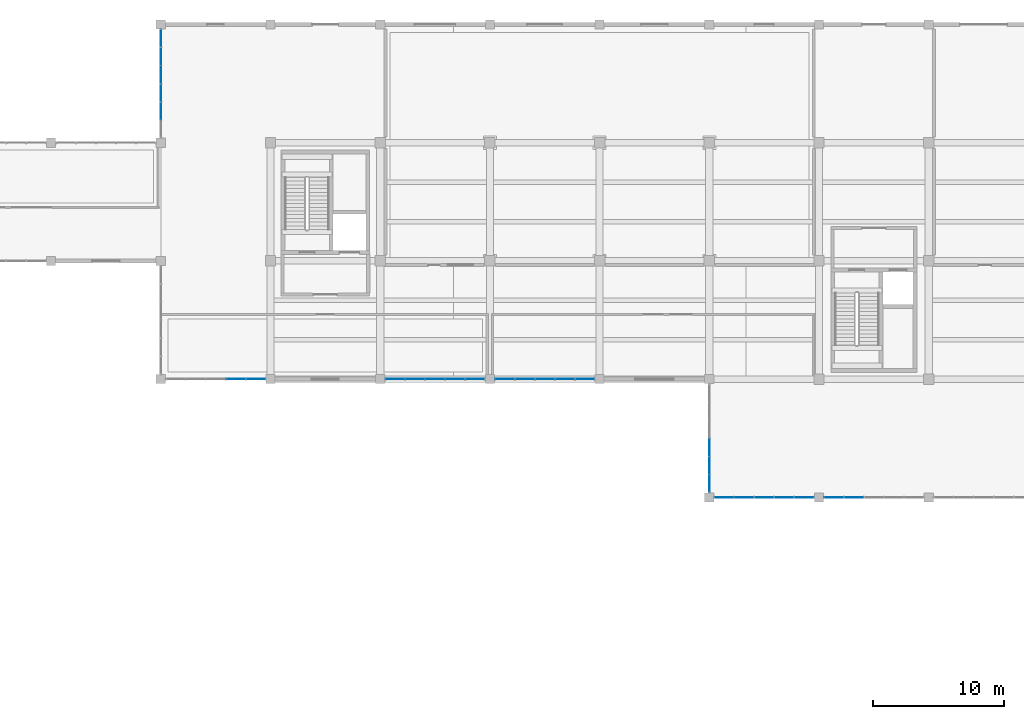
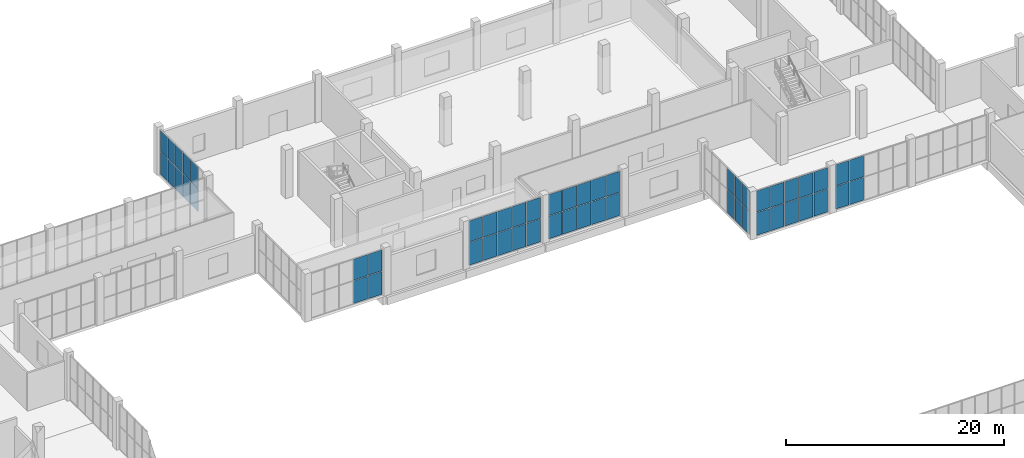
# One storey, part 69 of 91: 54 plates, 7 elements without a shape of their own.
"""IFC4 building model written with IfcOpenShell, lengths in metres."""

import ifcopenshell
import ifcopenshell.guid

model = None  # the IFC model being written
_history = None  # IfcOwnerHistory: only IFC2X3 demands one
_inside = {}  # id of a spatial element -> (the spatial element, [elements in it])
_under = {}  # id of a project, library or spatial element -> (it, [spatial elements below it])
_declared = {}  # id of a project -> (the project, [libraries it declares])
_typed = {}  # id of a type object -> (the type object, [elements of that type])
_made_of = {}  # id of a material, layer set ... -> (it, [elements and type objects made of it])


def new_model(schema):
    """Start an empty IFC model of exactly this schema.

    Asked for "IFC4X3", IfcOpenShell would pick the latest addendum, in which some entities
    have other attributes; the version numbers below select the first issue.
    IFC2X3 requires an IfcOwnerHistory on every rooted entity: one is made here for all.
    """
    global model, _history
    if schema == "IFC4X3":
        model = ifcopenshell.file(schema_version=(4, 3, 0, 0))
    else:
        model = ifcopenshell.file(schema=schema)
    _inside.clear()
    _under.clear()
    _declared.clear()
    _typed.clear()
    _made_of.clear()
    _history = None
    if model.schema == "IFC2X3":
        org = make("IfcOrganization", Name="unknown")
        user = make(
            "IfcPersonAndOrganization",
            ThePerson=make("IfcPerson", FamilyName="unknown"),
            TheOrganization=org,
        )
        app = make(
            "IfcApplication",
            ApplicationDeveloper=org,
            Version="unknown",
            ApplicationFullName="unknown",
            ApplicationIdentifier="unknown",
        )
        _history = make(
            "IfcOwnerHistory",
            OwningUser=user,
            OwningApplication=app,
            ChangeAction="ADDED",
            CreationDate=0,
        )
    return model


def make(cls, **values):
    """One entity of the class cls with the attributes given. An attribute that is None is left unset."""
    return model.create_entity(
        cls, **{name: value for name, value in values.items() if value is not None}
    )


def rooted(cls, **values):
    """An entity with a GlobalId (a new one), such as an element, a storey or a relation."""
    return make(cls, GlobalId=ifcopenshell.guid.new(), OwnerHistory=_history, **values)


def si_unit(unit_type, name, prefix=None):
    """IfcSIUnit, for example si_unit("LENGTHUNIT", "METRE", prefix="MILLI")."""
    return make("IfcSIUnit", UnitType=unit_type, Prefix=prefix, Name=name)


def assignment(units):
    """IfcUnitAssignment: the units of a project."""
    return None if units is None else make("IfcUnitAssignment", Units=units)


def point(xyz):
    """IfcCartesianPoint."""
    return None if xyz is None else make("IfcCartesianPoint", Coordinates=xyz)


def direction(xyz):
    """IfcDirection."""
    return None if xyz is None else make("IfcDirection", DirectionRatios=xyz)


def frame(location, z_axis=None, x_axis=None):
    """IfcAxis2Placement3D, a coordinate frame: its origin and axes. An axis left out is left unset."""
    return make(
        "IfcAxis2Placement3D",
        Location=point(location),
        Axis=direction(z_axis),
        RefDirection=direction(x_axis),
    )


def frame_2d(location, x_axis=None):
    """IfcAxis2Placement2D, a coordinate frame in the plane: its origin and x axis."""
    return make(
        "IfcAxis2Placement2D", Location=point(location), RefDirection=direction(x_axis)
    )


def origin():
    """The frame at (0, 0, 0) with its axes left unset."""
    return frame((0.0, 0.0, 0.0))


def origin_2d():
    """The frame at (0, 0) in the plane with its x axis left unset."""
    return frame_2d((0.0, 0.0))


def place(relative_to, where):
    """IfcLocalPlacement: puts the frame where relative to a parent placement (None: the world)."""
    return make(
        "IfcLocalPlacement", PlacementRelTo=relative_to, RelativePlacement=where
    )


def context(
    kind, dimensions, precision=None, world=None, true_north=None, identifier=None
):
    """IfcGeometricRepresentationContext, for example the 3D "Model" context."""
    return make(
        "IfcGeometricRepresentationContext",
        ContextIdentifier=identifier,
        ContextType=kind,
        CoordinateSpaceDimension=dimensions,
        Precision=precision,
        WorldCoordinateSystem=world,
        TrueNorth=true_north,
    )


def subcontext(parent, identifier, kind, view, scale=None):
    """IfcGeometricRepresentationSubContext, for example "Body" below "Model"."""
    return make(
        "IfcGeometricRepresentationSubContext",
        ContextIdentifier=identifier,
        ContextType=kind,
        ParentContext=parent,
        TargetScale=scale,
        TargetView=view,
    )


def project(units=None, contexts=None):
    """IfcProject with its units and contexts."""
    return rooted(
        "IfcProject",
        Name="project",
        RepresentationContexts=contexts,
        UnitsInContext=assignment(units),
    )


def spatial(cls, under=None, at=None, **own):
    """A site, building, storey or space (cls), placed at a placement, below another one or the project."""
    s = rooted(cls, ObjectPlacement=at, **own)
    if under is not None:
        _under.setdefault(under.id(), (under, []))[1].append(s)
    return s


def profile(cls, at=None, kind="AREA", **sizes):
    """A parametric profile (cls). Its sizes go by their IFC names, for example OverallWidth=200.0."""
    return make(cls, ProfileType=kind, Position=at, **sizes)


def rectangle(**sizes):
    """IfcRectangleProfileDef."""
    return profile("IfcRectangleProfileDef", **sizes)


def extrude(swept, where, along, depth):
    """IfcExtrudedAreaSolid: the profile swept, set in the frame where, extruded along a direction by depth."""
    return make(
        "IfcExtrudedAreaSolid",
        SweptArea=swept,
        Position=where,
        ExtrudedDirection=direction(along),
        Depth=depth,
    )


def shape(context_of_items, identifier, shape_type, items):
    """IfcShapeRepresentation: the items that make up one representation, for example the "Body"."""
    return make(
        "IfcShapeRepresentation",
        ContextOfItems=context_of_items,
        RepresentationIdentifier=identifier,
        RepresentationType=shape_type,
        Items=items,
    )


def material(Name=None, Category=None):
    """IfcMaterial."""
    return make("IfcMaterial", Name=Name, Category=Category)


def layer(
    of_material, thickness, ventilated=None, Name=None, Category=None, Priority=None
):
    """IfcMaterialLayer: one layer of a wall or slab, of a material (None: an air gap)."""
    return make(
        "IfcMaterialLayer",
        Material=of_material,
        LayerThickness=thickness,
        IsVentilated=ventilated,
        Name=Name,
        Category=Category,
        Priority=Priority,
    )


def layer_set(layers, Name=None):
    """IfcMaterialLayerSet."""
    return make("IfcMaterialLayerSet", MaterialLayers=layers, LayerSetName=Name)


def made_of(thing, what):
    """Note that an element or type object is made of a material, layer set ...; save() writes the relation."""
    if what is not None:
        _made_of.setdefault(what.id(), (what, []))[1].append(thing)
    return thing


def type_object(cls, material=None, **own):
    """A type object (cls), such as IfcWallType, which elements share."""
    return made_of(rooted(cls, **own), material)


def element(
    cls,
    number,
    at=None,
    inside=None,
    cuts=None,
    type_object=None,
    material=None,
    context=None,
    identifier="Body",
    shape_type=None,
    held_by="IfcProductDefinitionShape",
    body=None,
    shapes=None,
    **own,
):
    """One element of the class cls, such as IfcWall. Its Tag is "e" and its number.

    at: its placement. inside: the storey or other place that contains it. cuts: it is an
    opening in that element (IfcRelVoidsElement). A single representation is given by context,
    identifier, shape_type and body (its items); several are given by shapes. held_by: the class
    of the entity that holds the representations. save() writes the other relations.
    """
    e = rooted(cls, Tag="e%d" % number, ObjectPlacement=at, **own)
    if body is not None:
        shapes = [shape(context, identifier, shape_type, body)]
    if shapes is not None:
        e.Representation = make(held_by, Representations=shapes)
    if inside is not None:
        _inside.setdefault(inside.id(), (inside, []))[1].append(e)
    if cuts is not None:
        rooted(
            "IfcRelVoidsElement", RelatingBuildingElement=cuts, RelatedOpeningElement=e
        )
    if type_object is not None:
        _typed.setdefault(type_object.id(), (type_object, []))[1].append(e)
    return made_of(e, material)


def aggregate(whole, parts):
    """IfcRelAggregates: a whole, such as a stair, and the parts it consists of."""
    return rooted("IfcRelAggregates", RelatingObject=whole, RelatedObjects=parts)


def save(model, path):
    """Write the relations noted so far, then the file.

    IfcRelAggregates (storeys below a building ...), IfcRelContainedInSpatialStructure (elements
    in a storey), IfcRelDefinesByType, IfcRelAssociatesMaterial and IfcRelDeclares: one each for
    every whole, place, type object, material and project.
    """
    for whole, parts in _under.values():
        aggregate(whole, parts)
    for where, things in _inside.values():
        rooted(
            "IfcRelContainedInSpatialStructure",
            RelatedElements=things,
            RelatingStructure=where,
        )
    for kind, things in _typed.values():
        rooted("IfcRelDefinesByType", RelatedObjects=things, RelatingType=kind)
    for what, things in _made_of.values():
        rooted("IfcRelAssociatesMaterial", RelatedObjects=things, RelatingMaterial=what)
    for by, libraries in _declared.values():
        rooted("IfcRelDeclares", RelatingContext=by, RelatedDefinitions=libraries)
    model.write(path)


model = new_model("IFC4")

# Units and contexts
model_context = context("Model", 3, precision=1e-05, world=origin(), true_north=direction((0.0, 1.0)))
body_context = subcontext(model_context, "Body", "Model", "MODEL_VIEW")
ifc_project = project(units=[si_unit("LENGTHUNIT", "METRE"), si_unit("AREAUNIT", "SQUARE_METRE"), si_unit("VOLUMEUNIT", "CUBIC_METRE"), si_unit("PLANEANGLEUNIT", "RADIAN"), si_unit("MASSUNIT", "GRAM", prefix="KILO")], contexts=[model_context])

# Site, building, storey
site_placement = place(None, origin())
site = spatial("IfcSite", under=ifc_project, at=site_placement, CompositionType="ELEMENT")
building_placement = place(site_placement, origin())
building = spatial("IfcBuilding", under=site, at=building_placement, Name="Khurvash Pelagic Aquarium", CompositionType="ELEMENT")
storey_placement = place(building_placement, origin())
storey = spatial("IfcBuildingStorey", under=building, at=storey_placement, Name="L00", CompositionType="ELEMENT", Elevation=0.0)

# Curtain wall, plates
ifc_material_1 = material(Name="Anodised aluminium and low-E laminated glass", Category="aluminium")
curtain_wall_type_1 = type_object("IfcCurtainWallType", Name="CW-02", PredefinedType="USERDEFINED", material=ifc_material_1)
curtain_wall_1_placement = place(storey_placement, origin())
curtain_wall_1 = element("IfcCurtainWall", 1, at=curtain_wall_1_placement, inside=storey, type_object=curtain_wall_type_1, Name="L00 Facade Unitised Curtain Wall CW-02 0083", ObjectType="UNITISED CURTAIN WALL", PredefinedType="USERDEFINED")
ifc_material_2 = material(Name="Low-E laminated double glazing", Category="glass")
ifc_layer_1 = layer(ifc_material_2, 0.031982421875)
ifc_layer_set_1 = layer_set([ifc_layer_1], Name="Low-E laminated double glazing")
plate_type_1 = type_object("IfcPlateType", Name="CG-02", PredefinedType="CURTAIN_PANEL", material=ifc_layer_set_1)
plate_1_placement = place(storey_placement, frame((64.5380859375, 84.050048828125, 0.06005859375), z_axis=(0.0, 0.0, 1.0), x_axis=(1.0, 0.0, 0.0)))
plate_1 = element("IfcPlate", 2, at=plate_1_placement, type_object=plate_type_1, Name="CW-02 panel 4.1", PredefinedType="CURTAIN_PANEL", context=body_context, shape_type="SweptSolid", body=[
    extrude(rectangle(XDim=1.47802734375, YDim=0.031982421875, at=origin_2d()), origin(), (0.0, 0.0, 1.0), 2.556884765625),
])
plate_2_placement = place(storey_placement, frame((64.5380859375, 84.050048828125, 2.677001953125), z_axis=(0.0, 0.0, 1.0), x_axis=(1.0, 0.0, 0.0)))
plate_2 = element("IfcPlate", 3, at=plate_2_placement, type_object=plate_type_1, Name="CW-02 panel 4.2", PredefinedType="CURTAIN_PANEL", context=body_context, shape_type="SweptSolid", body=[
    extrude(rectangle(XDim=1.47802734375, YDim=0.031982421875, at=origin_2d()), origin(), (0.0, 0.0, 1.0), 2.35302734375),
])
plate_3_placement = place(storey_placement, frame((66.06103515625, 84.050048828125, 0.06005859375), z_axis=(0.0, 0.0, 1.0), x_axis=(1.0, 0.0, 0.0)))
plate_3 = element("IfcPlate", 4, at=plate_3_placement, type_object=plate_type_1, Name="CW-02 panel 5.1", PredefinedType="CURTAIN_PANEL", context=body_context, shape_type="SweptSolid", body=[
    extrude(rectangle(XDim=1.447998046875, YDim=0.031982421875, at=origin_2d()), origin(), (0.0, 0.0, 1.0), 2.556884765625),
])
plate_4_placement = place(storey_placement, frame((66.06103515625, 84.050048828125, 2.677001953125), z_axis=(0.0, 0.0, 1.0), x_axis=(1.0, 0.0, 0.0)))
plate_4 = element("IfcPlate", 5, at=plate_4_placement, type_object=plate_type_1, Name="CW-02 panel 5.2", PredefinedType="CURTAIN_PANEL", context=body_context, shape_type="SweptSolid", body=[
    extrude(rectangle(XDim=1.447998046875, YDim=0.031982421875, at=origin_2d()), origin(), (0.0, 0.0, 1.0), 2.35302734375),
])
aggregate(curtain_wall_1, [plate_1, plate_2, plate_3, plate_4])

curtain_wall_2_placement = place(storey_placement, origin())
curtain_wall_2 = element("IfcCurtainWall", 6, at=curtain_wall_2_placement, inside=storey, type_object=curtain_wall_type_1, Name="L00 Facade Unitised Curtain Wall CW-02 0084", ObjectType="UNITISED CURTAIN WALL", PredefinedType="USERDEFINED")
plate_5_placement = place(storey_placement, frame((76.739013671875, 84.050048828125, 0.06005859375), z_axis=(0.0, 0.0, 1.0), x_axis=(1.0, 0.0, 0.0)))
plate_5 = element("IfcPlate", 7, at=plate_5_placement, type_object=plate_type_1, Name="CW-02 panel 1.1", PredefinedType="CURTAIN_PANEL", context=body_context, shape_type="SweptSolid", body=[
    extrude(rectangle(XDim=1.447998046875, YDim=0.031982421875, at=origin_2d()), origin(), (0.0, 0.0, 1.0), 2.556884765625),
])
plate_6_placement = place(storey_placement, frame((76.739013671875, 84.050048828125, 2.677001953125), z_axis=(0.0, 0.0, 1.0), x_axis=(1.0, 0.0, 0.0)))
plate_6 = element("IfcPlate", 8, at=plate_6_placement, type_object=plate_type_1, Name="CW-02 panel 1.2", PredefinedType="CURTAIN_PANEL", context=body_context, shape_type="SweptSolid", body=[
    extrude(rectangle(XDim=1.447998046875, YDim=0.031982421875, at=origin_2d()), origin(), (0.0, 0.0, 1.0), 2.35302734375),
])
plate_7_placement = place(storey_placement, frame((78.261962890625, 84.050048828125, 0.06005859375), z_axis=(0.0, 0.0, 1.0), x_axis=(1.0, 0.0, 0.0)))
plate_7 = element("IfcPlate", 9, at=plate_7_placement, type_object=plate_type_1, Name="CW-02 panel 2.1", PredefinedType="CURTAIN_PANEL", context=body_context, shape_type="SweptSolid", body=[
    extrude(rectangle(XDim=1.47802734375, YDim=0.031982421875, at=origin_2d()), origin(), (0.0, 0.0, 1.0), 2.556884765625),
])
plate_8_placement = place(storey_placement, frame((78.261962890625, 84.050048828125, 2.677001953125), z_axis=(0.0, 0.0, 1.0), x_axis=(1.0, 0.0, 0.0)))
plate_8 = element("IfcPlate", 10, at=plate_8_placement, type_object=plate_type_1, Name="CW-02 panel 2.2", PredefinedType="CURTAIN_PANEL", context=body_context, shape_type="SweptSolid", body=[
    extrude(rectangle(XDim=1.47802734375, YDim=0.031982421875, at=origin_2d()), origin(), (0.0, 0.0, 1.0), 2.35302734375),
])
plate_9_placement = place(storey_placement, frame((79.800048828125, 84.050048828125, 0.06005859375), z_axis=(0.0, 0.0, 1.0), x_axis=(1.0, 0.0, 0.0)))
plate_9 = element("IfcPlate", 11, at=plate_9_placement, type_object=plate_type_1, Name="CW-02 panel 3.1", PredefinedType="CURTAIN_PANEL", context=body_context, shape_type="SweptSolid", body=[
    extrude(rectangle(XDim=1.47802734375, YDim=0.031982421875, at=origin_2d()), origin(), (0.0, 0.0, 1.0), 2.556884765625),
])
plate_10_placement = place(storey_placement, frame((79.800048828125, 84.050048828125, 2.677001953125), z_axis=(0.0, 0.0, 1.0), x_axis=(1.0, 0.0, 0.0)))
plate_10 = element("IfcPlate", 12, at=plate_10_placement, type_object=plate_type_1, Name="CW-02 panel 3.2", PredefinedType="CURTAIN_PANEL", context=body_context, shape_type="SweptSolid", body=[
    extrude(rectangle(XDim=1.47802734375, YDim=0.031982421875, at=origin_2d()), origin(), (0.0, 0.0, 1.0), 2.35302734375),
])
plate_11_placement = place(storey_placement, frame((81.337890625, 84.050048828125, 0.06005859375), z_axis=(0.0, 0.0, 1.0), x_axis=(1.0, 0.0, 0.0)))
plate_11 = element("IfcPlate", 13, at=plate_11_placement, type_object=plate_type_1, Name="CW-02 panel 4.1", PredefinedType="CURTAIN_PANEL", context=body_context, shape_type="SweptSolid", body=[
    extrude(rectangle(XDim=1.47802734375, YDim=0.031982421875, at=origin_2d()), origin(), (0.0, 0.0, 1.0), 2.556884765625),
])
plate_12_placement = place(storey_placement, frame((81.337890625, 84.050048828125, 2.677001953125), z_axis=(0.0, 0.0, 1.0), x_axis=(1.0, 0.0, 0.0)))
plate_12 = element("IfcPlate", 14, at=plate_12_placement, type_object=plate_type_1, Name="CW-02 panel 4.2", PredefinedType="CURTAIN_PANEL", context=body_context, shape_type="SweptSolid", body=[
    extrude(rectangle(XDim=1.47802734375, YDim=0.031982421875, at=origin_2d()), origin(), (0.0, 0.0, 1.0), 2.35302734375),
])
plate_13_placement = place(storey_placement, frame((82.861083984375, 84.050048828125, 0.06005859375), z_axis=(0.0, 0.0, 1.0), x_axis=(1.0, 0.0, 0.0)))
plate_13 = element("IfcPlate", 15, at=plate_13_placement, type_object=plate_type_1, Name="CW-02 panel 5.1", PredefinedType="CURTAIN_PANEL", context=body_context, shape_type="SweptSolid", body=[
    extrude(rectangle(XDim=1.447998046875, YDim=0.031982421875, at=origin_2d()), origin(), (0.0, 0.0, 1.0), 2.556884765625),
])
plate_14_placement = place(storey_placement, frame((82.861083984375, 84.050048828125, 2.677001953125), z_axis=(0.0, 0.0, 1.0), x_axis=(1.0, 0.0, 0.0)))
plate_14 = element("IfcPlate", 16, at=plate_14_placement, type_object=plate_type_1, Name="CW-02 panel 5.2", PredefinedType="CURTAIN_PANEL", context=body_context, shape_type="SweptSolid", body=[
    extrude(rectangle(XDim=1.447998046875, YDim=0.031982421875, at=origin_2d()), origin(), (0.0, 0.0, 1.0), 2.35302734375),
])
aggregate(curtain_wall_2, [plate_5, plate_6, plate_7, plate_8, plate_9, plate_10, plate_11, plate_12, plate_13, plate_14])

curtain_wall_3_placement = place(storey_placement, origin())
curtain_wall_3 = element("IfcCurtainWall", 17, at=curtain_wall_3_placement, inside=storey, type_object=curtain_wall_type_1, Name="L00 Facade Unitised Curtain Wall CW-02 0085", ObjectType="UNITISED CURTAIN WALL", PredefinedType="USERDEFINED")
plate_15_placement = place(storey_placement, frame((85.138916015625, 84.050048828125, 0.06005859375), z_axis=(0.0, 0.0, 1.0), x_axis=(1.0, 0.0, 0.0)))
plate_15 = element("IfcPlate", 18, at=plate_15_placement, type_object=plate_type_1, Name="CW-02 panel 1.1", PredefinedType="CURTAIN_PANEL", context=body_context, shape_type="SweptSolid", body=[
    extrude(rectangle(XDim=1.447998046875, YDim=0.031982421875, at=origin_2d()), origin(), (0.0, 0.0, 1.0), 2.556884765625),
])
plate_16_placement = place(storey_placement, frame((85.138916015625, 84.050048828125, 2.677001953125), z_axis=(0.0, 0.0, 1.0), x_axis=(1.0, 0.0, 0.0)))
plate_16 = element("IfcPlate", 19, at=plate_16_placement, type_object=plate_type_1, Name="CW-02 panel 1.2", PredefinedType="CURTAIN_PANEL", context=body_context, shape_type="SweptSolid", body=[
    extrude(rectangle(XDim=1.447998046875, YDim=0.031982421875, at=origin_2d()), origin(), (0.0, 0.0, 1.0), 2.35302734375),
])
plate_17_placement = place(storey_placement, frame((86.662109375, 84.050048828125, 0.06005859375), z_axis=(0.0, 0.0, 1.0), x_axis=(1.0, 0.0, 0.0)))
plate_17 = element("IfcPlate", 20, at=plate_17_placement, type_object=plate_type_1, Name="CW-02 panel 2.1", PredefinedType="CURTAIN_PANEL", context=body_context, shape_type="SweptSolid", body=[
    extrude(rectangle(XDim=1.47802734375, YDim=0.031982421875, at=origin_2d()), origin(), (0.0, 0.0, 1.0), 2.556884765625),
])
plate_18_placement = place(storey_placement, frame((86.662109375, 84.050048828125, 2.677001953125), z_axis=(0.0, 0.0, 1.0), x_axis=(1.0, 0.0, 0.0)))
plate_18 = element("IfcPlate", 21, at=plate_18_placement, type_object=plate_type_1, Name="CW-02 panel 2.2", PredefinedType="CURTAIN_PANEL", context=body_context, shape_type="SweptSolid", body=[
    extrude(rectangle(XDim=1.47802734375, YDim=0.031982421875, at=origin_2d()), origin(), (0.0, 0.0, 1.0), 2.35302734375),
])
plate_19_placement = place(storey_placement, frame((88.199951171875, 84.050048828125, 0.06005859375), z_axis=(0.0, 0.0, 1.0), x_axis=(1.0, 0.0, 0.0)))
plate_19 = element("IfcPlate", 22, at=plate_19_placement, type_object=plate_type_1, Name="CW-02 panel 3.1", PredefinedType="CURTAIN_PANEL", context=body_context, shape_type="SweptSolid", body=[
    extrude(rectangle(XDim=1.47802734375, YDim=0.031982421875, at=origin_2d()), origin(), (0.0, 0.0, 1.0), 2.556884765625),
])
plate_20_placement = place(storey_placement, frame((88.199951171875, 84.050048828125, 2.677001953125), z_axis=(0.0, 0.0, 1.0), x_axis=(1.0, 0.0, 0.0)))
plate_20 = element("IfcPlate", 23, at=plate_20_placement, type_object=plate_type_1, Name="CW-02 panel 3.2", PredefinedType="CURTAIN_PANEL", context=body_context, shape_type="SweptSolid", body=[
    extrude(rectangle(XDim=1.47802734375, YDim=0.031982421875, at=origin_2d()), origin(), (0.0, 0.0, 1.0), 2.35302734375),
])
plate_21_placement = place(storey_placement, frame((89.738037109375, 84.050048828125, 0.06005859375), z_axis=(0.0, 0.0, 1.0), x_axis=(1.0, 0.0, 0.0)))
plate_21 = element("IfcPlate", 24, at=plate_21_placement, type_object=plate_type_1, Name="CW-02 panel 4.1", PredefinedType="CURTAIN_PANEL", context=body_context, shape_type="SweptSolid", body=[
    extrude(rectangle(XDim=1.47802734375, YDim=0.031982421875, at=origin_2d()), origin(), (0.0, 0.0, 1.0), 2.556884765625),
])
plate_22_placement = place(storey_placement, frame((89.738037109375, 84.050048828125, 2.677001953125), z_axis=(0.0, 0.0, 1.0), x_axis=(1.0, 0.0, 0.0)))
plate_22 = element("IfcPlate", 25, at=plate_22_placement, type_object=plate_type_1, Name="CW-02 panel 4.2", PredefinedType="CURTAIN_PANEL", context=body_context, shape_type="SweptSolid", body=[
    extrude(rectangle(XDim=1.47802734375, YDim=0.031982421875, at=origin_2d()), origin(), (0.0, 0.0, 1.0), 2.35302734375),
])
plate_23_placement = place(storey_placement, frame((91.260986328125, 84.050048828125, 0.06005859375), z_axis=(0.0, 0.0, 1.0), x_axis=(1.0, 0.0, 0.0)))
plate_23 = element("IfcPlate", 26, at=plate_23_placement, type_object=plate_type_1, Name="CW-02 panel 5.1", PredefinedType="CURTAIN_PANEL", context=body_context, shape_type="SweptSolid", body=[
    extrude(rectangle(XDim=1.447998046875, YDim=0.031982421875, at=origin_2d()), origin(), (0.0, 0.0, 1.0), 2.556884765625),
])
plate_24_placement = place(storey_placement, frame((91.260986328125, 84.050048828125, 2.677001953125), z_axis=(0.0, 0.0, 1.0), x_axis=(1.0, 0.0, 0.0)))
plate_24 = element("IfcPlate", 27, at=plate_24_placement, type_object=plate_type_1, Name="CW-02 panel 5.2", PredefinedType="CURTAIN_PANEL", context=body_context, shape_type="SweptSolid", body=[
    extrude(rectangle(XDim=1.447998046875, YDim=0.031982421875, at=origin_2d()), origin(), (0.0, 0.0, 1.0), 2.35302734375),
])
aggregate(curtain_wall_3, [plate_15, plate_16, plate_17, plate_18, plate_19, plate_20, plate_21, plate_22, plate_23, plate_24])

curtain_wall_4_placement = place(storey_placement, origin())
curtain_wall_4 = element("IfcCurtainWall", 28, at=curtain_wall_4_placement, inside=storey, type_object=curtain_wall_type_1, Name="L00 Facade Unitised Curtain Wall CW-02 0087", ObjectType="UNITISED CURTAIN WALL", PredefinedType="USERDEFINED")
plate_25_placement = place(storey_placement, frame((101.93896484375, 75.0, 0.06005859375), z_axis=(0.0, 0.0, 1.0), x_axis=(1.0, 0.0, 0.0)))
plate_25 = element("IfcPlate", 29, at=plate_25_placement, type_object=plate_type_1, Name="CW-02 panel 1.1", PredefinedType="CURTAIN_PANEL", context=body_context, shape_type="SweptSolid", body=[
    extrude(rectangle(XDim=1.447998046875, YDim=0.031982421875, at=origin_2d()), origin(), (0.0, 0.0, 1.0), 2.556884765625),
])
plate_26_placement = place(storey_placement, frame((101.93896484375, 75.0, 2.677001953125), z_axis=(0.0, 0.0, 1.0), x_axis=(1.0, 0.0, 0.0)))
plate_26 = element("IfcPlate", 30, at=plate_26_placement, type_object=plate_type_1, Name="CW-02 panel 1.2", PredefinedType="CURTAIN_PANEL", context=body_context, shape_type="SweptSolid", body=[
    extrude(rectangle(XDim=1.447998046875, YDim=0.031982421875, at=origin_2d()), origin(), (0.0, 0.0, 1.0), 2.35302734375),
])
plate_27_placement = place(storey_placement, frame((103.4619140625, 75.0, 0.06005859375), z_axis=(0.0, 0.0, 1.0), x_axis=(1.0, 0.0, 0.0)))
plate_27 = element("IfcPlate", 31, at=plate_27_placement, type_object=plate_type_1, Name="CW-02 panel 2.1", PredefinedType="CURTAIN_PANEL", context=body_context, shape_type="SweptSolid", body=[
    extrude(rectangle(XDim=1.47802734375, YDim=0.031982421875, at=origin_2d()), origin(), (0.0, 0.0, 1.0), 2.556884765625),
])
plate_28_placement = place(storey_placement, frame((103.4619140625, 75.0, 2.677001953125), z_axis=(0.0, 0.0, 1.0), x_axis=(1.0, 0.0, 0.0)))
plate_28 = element("IfcPlate", 32, at=plate_28_placement, type_object=plate_type_1, Name="CW-02 panel 2.2", PredefinedType="CURTAIN_PANEL", context=body_context, shape_type="SweptSolid", body=[
    extrude(rectangle(XDim=1.47802734375, YDim=0.031982421875, at=origin_2d()), origin(), (0.0, 0.0, 1.0), 2.35302734375),
])
plate_29_placement = place(storey_placement, frame((105.0, 75.0, 0.06005859375), z_axis=(0.0, 0.0, 1.0), x_axis=(1.0, 0.0, 0.0)))
plate_29 = element("IfcPlate", 33, at=plate_29_placement, type_object=plate_type_1, Name="CW-02 panel 3.1", PredefinedType="CURTAIN_PANEL", context=body_context, shape_type="SweptSolid", body=[
    extrude(rectangle(XDim=1.47802734375, YDim=0.031982421875, at=origin_2d()), origin(), (0.0, 0.0, 1.0), 2.556884765625),
])
plate_30_placement = place(storey_placement, frame((105.0, 75.0, 2.677001953125), z_axis=(0.0, 0.0, 1.0), x_axis=(1.0, 0.0, 0.0)))
plate_30 = element("IfcPlate", 34, at=plate_30_placement, type_object=plate_type_1, Name="CW-02 panel 3.2", PredefinedType="CURTAIN_PANEL", context=body_context, shape_type="SweptSolid", body=[
    extrude(rectangle(XDim=1.47802734375, YDim=0.031982421875, at=origin_2d()), origin(), (0.0, 0.0, 1.0), 2.35302734375),
])
plate_31_placement = place(storey_placement, frame((106.5380859375, 75.0, 0.06005859375), z_axis=(0.0, 0.0, 1.0), x_axis=(1.0, 0.0, 0.0)))
plate_31 = element("IfcPlate", 35, at=plate_31_placement, type_object=plate_type_1, Name="CW-02 panel 4.1", PredefinedType="CURTAIN_PANEL", context=body_context, shape_type="SweptSolid", body=[
    extrude(rectangle(XDim=1.47802734375, YDim=0.031982421875, at=origin_2d()), origin(), (0.0, 0.0, 1.0), 2.556884765625),
])
plate_32_placement = place(storey_placement, frame((106.5380859375, 75.0, 2.677001953125), z_axis=(0.0, 0.0, 1.0), x_axis=(1.0, 0.0, 0.0)))
plate_32 = element("IfcPlate", 36, at=plate_32_placement, type_object=plate_type_1, Name="CW-02 panel 4.2", PredefinedType="CURTAIN_PANEL", context=body_context, shape_type="SweptSolid", body=[
    extrude(rectangle(XDim=1.47802734375, YDim=0.031982421875, at=origin_2d()), origin(), (0.0, 0.0, 1.0), 2.35302734375),
])
plate_33_placement = place(storey_placement, frame((108.06103515625, 75.0, 0.06005859375), z_axis=(0.0, 0.0, 1.0), x_axis=(1.0, 0.0, 0.0)))
plate_33 = element("IfcPlate", 37, at=plate_33_placement, type_object=plate_type_1, Name="CW-02 panel 5.1", PredefinedType="CURTAIN_PANEL", context=body_context, shape_type="SweptSolid", body=[
    extrude(rectangle(XDim=1.447998046875, YDim=0.031982421875, at=origin_2d()), origin(), (0.0, 0.0, 1.0), 2.556884765625),
])
plate_34_placement = place(storey_placement, frame((108.06103515625, 75.0, 2.677001953125), z_axis=(0.0, 0.0, 1.0), x_axis=(1.0, 0.0, 0.0)))
plate_34 = element("IfcPlate", 38, at=plate_34_placement, type_object=plate_type_1, Name="CW-02 panel 5.2", PredefinedType="CURTAIN_PANEL", context=body_context, shape_type="SweptSolid", body=[
    extrude(rectangle(XDim=1.447998046875, YDim=0.031982421875, at=origin_2d()), origin(), (0.0, 0.0, 1.0), 2.35302734375),
])
aggregate(curtain_wall_4, [plate_25, plate_26, plate_27, plate_28, plate_29, plate_30, plate_31, plate_32, plate_33, plate_34])

curtain_wall_5_placement = place(storey_placement, origin())
curtain_wall_5 = element("IfcCurtainWall", 39, at=curtain_wall_5_placement, inside=storey, type_object=curtain_wall_type_1, Name="L00 Facade Unitised Curtain Wall CW-02 0088", ObjectType="UNITISED CURTAIN WALL", PredefinedType="USERDEFINED")
plate_35_placement = place(storey_placement, frame((110.339111328125, 75.0, 0.06005859375), z_axis=(0.0, 0.0, 1.0), x_axis=(1.0, 0.0, 0.0)))
plate_35 = element("IfcPlate", 40, at=plate_35_placement, type_object=plate_type_1, Name="CW-02 panel 1.1", PredefinedType="CURTAIN_PANEL", context=body_context, shape_type="SweptSolid", body=[
    extrude(rectangle(XDim=1.447998046875, YDim=0.031982421875, at=origin_2d()), origin(), (0.0, 0.0, 1.0), 2.556884765625),
])
plate_36_placement = place(storey_placement, frame((110.339111328125, 75.0, 2.677001953125), z_axis=(0.0, 0.0, 1.0), x_axis=(1.0, 0.0, 0.0)))
plate_36 = element("IfcPlate", 41, at=plate_36_placement, type_object=plate_type_1, Name="CW-02 panel 1.2", PredefinedType="CURTAIN_PANEL", context=body_context, shape_type="SweptSolid", body=[
    extrude(rectangle(XDim=1.447998046875, YDim=0.031982421875, at=origin_2d()), origin(), (0.0, 0.0, 1.0), 2.35302734375),
])
plate_37_placement = place(storey_placement, frame((111.862060546875, 75.0, 0.06005859375), z_axis=(0.0, 0.0, 1.0), x_axis=(1.0, 0.0, 0.0)))
plate_37 = element("IfcPlate", 42, at=plate_37_placement, type_object=plate_type_1, Name="CW-02 panel 2.1", PredefinedType="CURTAIN_PANEL", context=body_context, shape_type="SweptSolid", body=[
    extrude(rectangle(XDim=1.47802734375, YDim=0.031982421875, at=origin_2d()), origin(), (0.0, 0.0, 1.0), 2.556884765625),
])
plate_38_placement = place(storey_placement, frame((111.862060546875, 75.0, 2.677001953125), z_axis=(0.0, 0.0, 1.0), x_axis=(1.0, 0.0, 0.0)))
plate_38 = element("IfcPlate", 43, at=plate_38_placement, type_object=plate_type_1, Name="CW-02 panel 2.2", PredefinedType="CURTAIN_PANEL", context=body_context, shape_type="SweptSolid", body=[
    extrude(rectangle(XDim=1.47802734375, YDim=0.031982421875, at=origin_2d()), origin(), (0.0, 0.0, 1.0), 2.35302734375),
])
aggregate(curtain_wall_5, [plate_35, plate_36, plate_37, plate_38])

curtain_wall_type_2 = type_object("IfcCurtainWallType", Name="CW-05", PredefinedType="USERDEFINED", material=ifc_material_1)
curtain_wall_6_placement = place(storey_placement, origin())
curtain_wall_6 = element("IfcCurtainWall", 44, at=curtain_wall_6_placement, inside=storey, type_object=curtain_wall_type_2, Name="L00 Facade Unitised Curtain Wall CW-05 0064", ObjectType="UNITISED CURTAIN WALL", PredefinedType="USERDEFINED")
ifc_layer_2 = layer(ifc_material_2, 0.033935546875)
ifc_layer_set_2 = layer_set([ifc_layer_2], Name="Low-E laminated double glazing")
plate_type_2 = type_object("IfcPlateType", Name="CG-05", PredefinedType="CURTAIN_PANEL", material=ifc_layer_set_2)
plate_39_placement = place(storey_placement, frame((58.800048828125, 110.135009765625, 0.06005859375), z_axis=(0.0, 0.0, 1.0), x_axis=(0.0, -1.0, 0.0)))
plate_39 = element("IfcPlate", 45, at=plate_39_placement, type_object=plate_type_2, Name="CW-05 panel 1.1", PredefinedType="CURTAIN_PANEL", context=body_context, shape_type="SweptSolid", body=[
    extrude(rectangle(XDim=1.300048828125, YDim=0.033935546875, at=origin_2d()), origin(), (0.0, 0.0, 1.0), 2.556884765625),
])
plate_40_placement = place(storey_placement, frame((58.800048828125, 110.135009765625, 2.677001953125), z_axis=(0.0, 0.0, 1.0), x_axis=(0.0, -1.0, 0.0)))
plate_40 = element("IfcPlate", 46, at=plate_40_placement, type_object=plate_type_2, Name="CW-05 panel 1.2", PredefinedType="CURTAIN_PANEL", context=body_context, shape_type="SweptSolid", body=[
    extrude(rectangle(XDim=1.300048828125, YDim=0.033935546875, at=origin_2d()), origin(), (0.0, 0.0, 1.0), 2.35302734375),
])
plate_41_placement = place(storey_placement, frame((58.800048828125, 108.760009765625, 0.06005859375), z_axis=(0.0, 0.0, 1.0), x_axis=(0.0, -1.0, 0.0)))
plate_41 = element("IfcPlate", 47, at=plate_41_placement, type_object=plate_type_2, Name="CW-05 panel 2.1", PredefinedType="CURTAIN_PANEL", context=body_context, shape_type="SweptSolid", body=[
    extrude(rectangle(XDim=1.330078125, YDim=0.033935546875, at=origin_2d()), origin(), (0.0, 0.0, 1.0), 2.556884765625),
])
plate_42_placement = place(storey_placement, frame((58.800048828125, 108.760009765625, 2.677001953125), z_axis=(0.0, 0.0, 1.0), x_axis=(0.0, -1.0, 0.0)))
plate_42 = element("IfcPlate", 48, at=plate_42_placement, type_object=plate_type_2, Name="CW-05 panel 2.2", PredefinedType="CURTAIN_PANEL", context=body_context, shape_type="SweptSolid", body=[
    extrude(rectangle(XDim=1.330078125, YDim=0.033935546875, at=origin_2d()), origin(), (0.0, 0.0, 1.0), 2.35302734375),
])
plate_43_placement = place(storey_placement, frame((58.800048828125, 107.3701171875, 0.06005859375), z_axis=(0.0, 0.0, 1.0), x_axis=(0.0, -1.0, 0.0)))
plate_43 = element("IfcPlate", 49, at=plate_43_placement, type_object=plate_type_2, Name="CW-05 panel 3.1", PredefinedType="CURTAIN_PANEL", context=body_context, shape_type="SweptSolid", body=[
    extrude(rectangle(XDim=1.330078125, YDim=0.033935546875, at=origin_2d()), origin(), (0.0, 0.0, 1.0), 2.556884765625),
])
plate_44_placement = place(storey_placement, frame((58.800048828125, 107.3701171875, 2.677001953125), z_axis=(0.0, 0.0, 1.0), x_axis=(0.0, -1.0, 0.0)))
plate_44 = element("IfcPlate", 50, at=plate_44_placement, type_object=plate_type_2, Name="CW-05 panel 3.2", PredefinedType="CURTAIN_PANEL", context=body_context, shape_type="SweptSolid", body=[
    extrude(rectangle(XDim=1.330078125, YDim=0.033935546875, at=origin_2d()), origin(), (0.0, 0.0, 1.0), 2.35302734375),
])
plate_45_placement = place(storey_placement, frame((58.800048828125, 105.97998046875, 0.06005859375), z_axis=(0.0, 0.0, 1.0), x_axis=(0.0, -1.0, 0.0)))
plate_45 = element("IfcPlate", 51, at=plate_45_placement, type_object=plate_type_2, Name="CW-05 panel 4.1", PredefinedType="CURTAIN_PANEL", context=body_context, shape_type="SweptSolid", body=[
    extrude(rectangle(XDim=1.330078125, YDim=0.033935546875, at=origin_2d()), origin(), (0.0, 0.0, 1.0), 2.556884765625),
])
plate_46_placement = place(storey_placement, frame((58.800048828125, 105.97998046875, 2.677001953125), z_axis=(0.0, 0.0, 1.0), x_axis=(0.0, -1.0, 0.0)))
plate_46 = element("IfcPlate", 52, at=plate_46_placement, type_object=plate_type_2, Name="CW-05 panel 4.2", PredefinedType="CURTAIN_PANEL", context=body_context, shape_type="SweptSolid", body=[
    extrude(rectangle(XDim=1.330078125, YDim=0.033935546875, at=origin_2d()), origin(), (0.0, 0.0, 1.0), 2.35302734375),
])
plate_47_placement = place(storey_placement, frame((58.800048828125, 104.590087890625, 0.06005859375), z_axis=(0.0, 0.0, 1.0), x_axis=(0.0, -1.0, 0.0)))
plate_47 = element("IfcPlate", 53, at=plate_47_placement, type_object=plate_type_2, Name="CW-05 panel 5.1", PredefinedType="CURTAIN_PANEL", context=body_context, shape_type="SweptSolid", body=[
    extrude(rectangle(XDim=1.330078125, YDim=0.033935546875, at=origin_2d()), origin(), (0.0, 0.0, 1.0), 2.556884765625),
])
plate_48_placement = place(storey_placement, frame((58.800048828125, 104.590087890625, 2.677001953125), z_axis=(0.0, 0.0, 1.0), x_axis=(0.0, -1.0, 0.0)))
plate_48 = element("IfcPlate", 54, at=plate_48_placement, type_object=plate_type_2, Name="CW-05 panel 5.2", PredefinedType="CURTAIN_PANEL", context=body_context, shape_type="SweptSolid", body=[
    extrude(rectangle(XDim=1.330078125, YDim=0.033935546875, at=origin_2d()), origin(), (0.0, 0.0, 1.0), 2.35302734375),
])
aggregate(curtain_wall_6, [plate_39, plate_40, plate_41, plate_42, plate_43, plate_44, plate_45, plate_46, plate_47, plate_48])

curtain_wall_7_placement = place(storey_placement, origin())
curtain_wall_7 = element("IfcCurtainWall", 55, at=curtain_wall_7_placement, inside=storey, type_object=curtain_wall_type_2, Name="L00 Facade Unitised Curtain Wall CW-05 0086", ObjectType="UNITISED CURTAIN WALL", PredefinedType="USERDEFINED")
plate_49_placement = place(storey_placement, frame((100.800048828125, 78.830078125, 0.06005859375), z_axis=(0.0, 0.0, 1.0), x_axis=(0.0, -1.0, 0.0)))
plate_49 = element("IfcPlate", 56, at=plate_49_placement, type_object=plate_type_2, Name="CW-05 panel 4.1", PredefinedType="CURTAIN_PANEL", context=body_context, shape_type="SweptSolid", body=[
    extrude(rectangle(XDim=1.330078125, YDim=0.033935546875, at=origin_2d()), origin(), (0.0, 0.0, 1.0), 2.556884765625),
])
plate_50_placement = place(storey_placement, frame((100.800048828125, 78.830078125, 2.677001953125), z_axis=(0.0, 0.0, 1.0), x_axis=(0.0, -1.0, 0.0)))
plate_50 = element("IfcPlate", 57, at=plate_50_placement, type_object=plate_type_2, Name="CW-05 panel 4.2", PredefinedType="CURTAIN_PANEL", context=body_context, shape_type="SweptSolid", body=[
    extrude(rectangle(XDim=1.330078125, YDim=0.033935546875, at=origin_2d()), origin(), (0.0, 0.0, 1.0), 2.35302734375),
])
plate_51_placement = place(storey_placement, frame((100.800048828125, 77.43994140625, 0.06005859375), z_axis=(0.0, 0.0, 1.0), x_axis=(0.0, -1.0, 0.0)))
plate_51 = element("IfcPlate", 58, at=plate_51_placement, type_object=plate_type_2, Name="CW-05 panel 5.1", PredefinedType="CURTAIN_PANEL", context=body_context, shape_type="SweptSolid", body=[
    extrude(rectangle(XDim=1.330078125, YDim=0.033935546875, at=origin_2d()), origin(), (0.0, 0.0, 1.0), 2.556884765625),
])
plate_52_placement = place(storey_placement, frame((100.800048828125, 77.43994140625, 2.677001953125), z_axis=(0.0, 0.0, 1.0), x_axis=(0.0, -1.0, 0.0)))
plate_52 = element("IfcPlate", 59, at=plate_52_placement, type_object=plate_type_2, Name="CW-05 panel 5.2", PredefinedType="CURTAIN_PANEL", context=body_context, shape_type="SweptSolid", body=[
    extrude(rectangle(XDim=1.330078125, YDim=0.033935546875, at=origin_2d()), origin(), (0.0, 0.0, 1.0), 2.35302734375),
])
plate_53_placement = place(storey_placement, frame((100.800048828125, 76.06494140625, 0.06005859375), z_axis=(0.0, 0.0, 1.0), x_axis=(0.0, -1.0, 0.0)))
plate_53 = element("IfcPlate", 60, at=plate_53_placement, type_object=plate_type_2, Name="CW-05 panel 6.1", PredefinedType="CURTAIN_PANEL", context=body_context, shape_type="SweptSolid", body=[
    extrude(rectangle(XDim=1.300048828125, YDim=0.033935546875, at=origin_2d()), origin(), (0.0, 0.0, 1.0), 2.556884765625),
])
plate_54_placement = place(storey_placement, frame((100.800048828125, 76.06494140625, 2.677001953125), z_axis=(0.0, 0.0, 1.0), x_axis=(0.0, -1.0, 0.0)))
plate_54 = element("IfcPlate", 61, at=plate_54_placement, type_object=plate_type_2, Name="CW-05 panel 6.2", PredefinedType="CURTAIN_PANEL", context=body_context, shape_type="SweptSolid", body=[
    extrude(rectangle(XDim=1.300048828125, YDim=0.033935546875, at=origin_2d()), origin(), (0.0, 0.0, 1.0), 2.35302734375),
])
aggregate(curtain_wall_7, [plate_49, plate_50, plate_51, plate_52, plate_53, plate_54])

save(model, "model.ifc")
